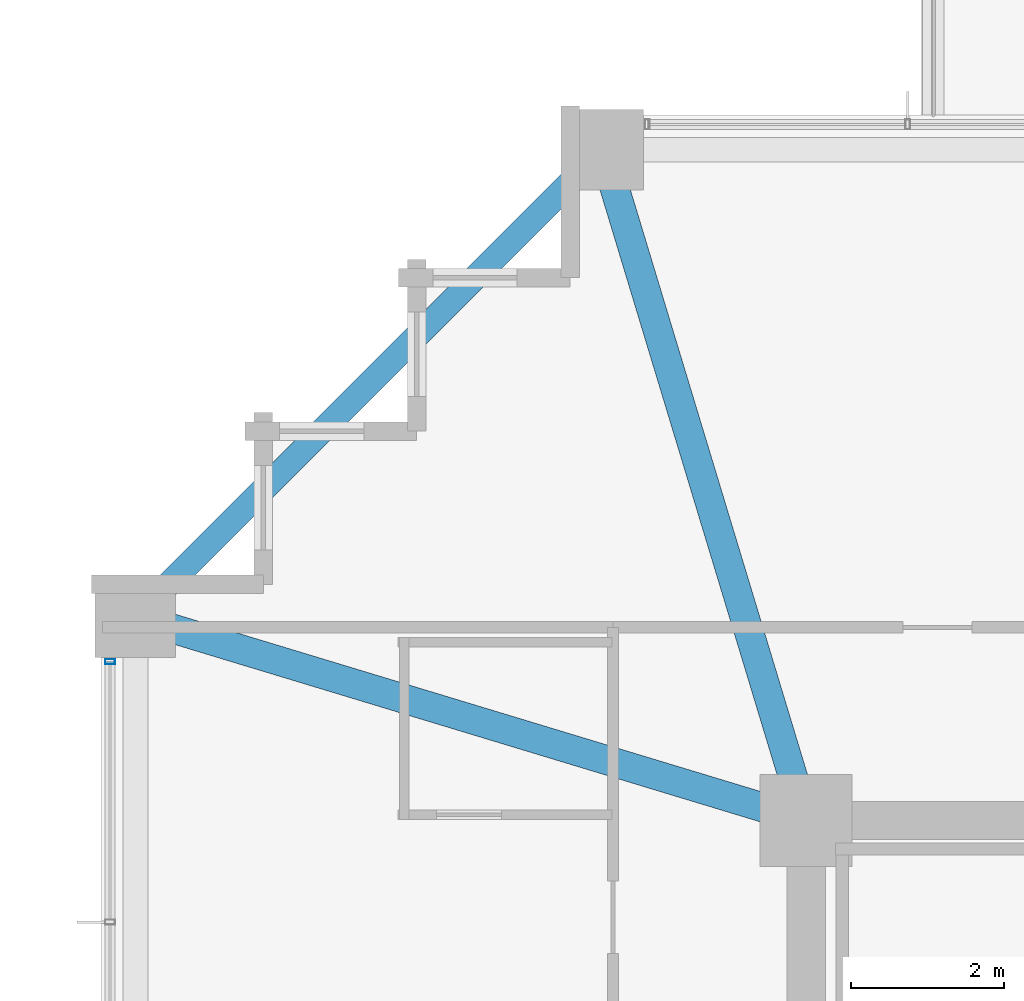
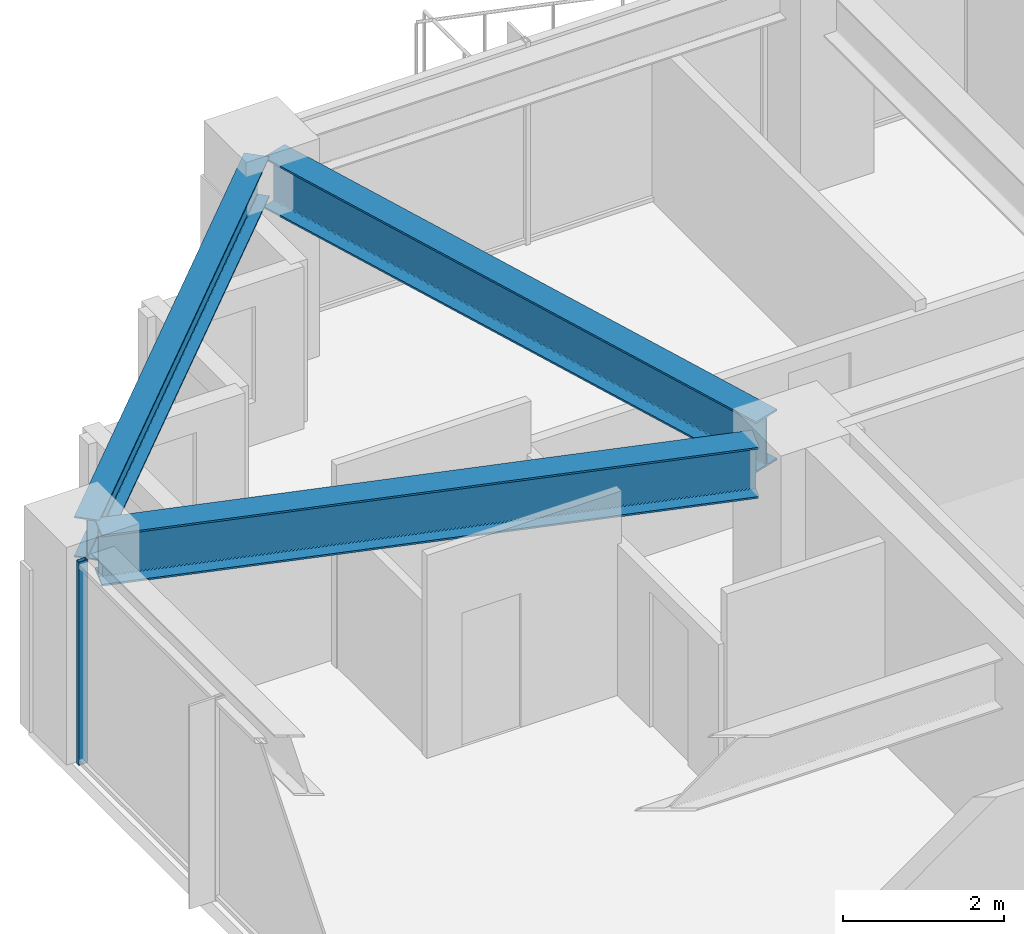
# One storey, part 16 of 34: 3 beams, 1 member, 1 element without a shape of its own.
"""IFC4 building model written with IfcOpenShell, lengths in metres."""

from ifc_helpers import new_model, si_unit, direction, frame, origin, origin_2d, place, context, subcontext, project, spatial, hollow_rectangle, i_section, extrude, material, material_profile, profile_set, type_object, element, aggregate, save


model = new_model("IFC4")

# Units and contexts
model_context = context("Model", 3, precision=1e-05, world=origin(), true_north=direction((0.0, 1.0)))
body_context = subcontext(model_context, "Body", "Model", "MODEL_VIEW")
ifc_project = project(units=[si_unit("LENGTHUNIT", "METRE"), si_unit("AREAUNIT", "SQUARE_METRE"), si_unit("VOLUMEUNIT", "CUBIC_METRE"), si_unit("PLANEANGLEUNIT", "RADIAN"), si_unit("MASSUNIT", "GRAM", prefix="KILO")], contexts=[model_context])

# Site, building, storey
site_placement = place(None, origin())
site = spatial("IfcSite", under=ifc_project, at=site_placement, CompositionType="ELEMENT")
building_placement = place(site_placement, origin())
building = spatial("IfcBuilding", under=site, at=building_placement, Name="Kolvaren Belvedere", CompositionType="ELEMENT")
storey_placement = place(building_placement, frame((0.0, 0.0, 111.800048828125)))
storey = spatial("IfcBuildingStorey", under=building, at=storey_placement, Name="L32", CompositionType="ELEMENT", Elevation=111.800048828125)

# Beams
ifc_material_1 = material(Name="Structural steel ASTM A992 Grade 50", Category="steel")
ifc_material_profile_1 = material_profile(ifc_material_1, i_section(OverallWidth=0.381103515625, OverallDepth=0.77294921875, WebThickness=0.0166015625, FlangeThickness=0.027099609375, FilletRadius=0.02392578125, at=origin_2d()), Name="W30X173")
ifc_profile_set_1 = profile_set([ifc_material_profile_1], Name="Structural steel ASTM A992 Grade 50")
beam_type_1 = type_object("IfcBeamType", Name="BM-GIRD-W30X173", PredefinedType="BEAM", material=ifc_profile_set_1)
for number, where, z_axis, x_axis, name in (
    (1, (-10.059326171875, 10.426513671875, 2.693359375), (-0.289858652454, 0.957069465398, 0.0), (-0.957069465398, -0.289858652454, 0.0), "L32 Corner Core-to-Perimeter Girder CC4-N1"),
    (2, (-10.426513671875, 10.059326171875, 2.693359375), (-0.957069465398, 0.289858652454, 0.0), (-0.289858652454, -0.957069465398, 0.0), "L32 Corner Core-to-Perimeter Girder CC4-W4"),
):
    element("IfcBeam", number, at=place(storey_placement, frame(where, z_axis=z_axis, x_axis=x_axis)), inside=storey, type_object=beam_type_1, Name=name, PredefinedType="BEAM", context=body_context, shape_type="SweptSolid", body=[
        extrude(i_section(OverallWidth=0.381103515625, OverallDepth=0.77294921875, WebThickness=0.0166015625, FlangeThickness=0.027099609375, FilletRadius=0.02392578125, at=origin_2d()), origin(), (0.0, 0.0, 1.0), 8.38232421875),
    ])
ifc_material_2 = material(Name="Structural steel ASTM A992 Grade 50", Category="steel")
ifc_material_profile_2 = material_profile(ifc_material_2, i_section(OverallWidth=0.324951171875, OverallDepth=0.615966796875, WebThickness=0.013916015625, FlangeThickness=0.021484375, FilletRadius=0.02001953125, at=origin_2d()), Name="W24X117")
ifc_profile_set_2 = profile_set([ifc_material_profile_2], Name="Structural steel ASTM A992 Grade 50")
beam_type_2 = type_object("IfcBeamType", Name="BM-SPAN-W24X117", PredefinedType="SPANDREL", material=ifc_profile_set_2)
beam_placement = place(storey_placement, frame((-12.717041015625, 18.48291015625, 2.77197265625), z_axis=(-0.707106781187, -0.707106781187, 0.0), x_axis=(0.707106781187, -0.707106781187, 0.0)))
element("IfcBeam", 3, at=beam_placement, inside=storey, type_object=beam_type_2, Name="L32 Perimeter Spandrel N1-W4", PredefinedType="SPANDREL", context=body_context, shape_type="SweptSolid", body=[
    extrude(i_section(OverallWidth=0.324951171875, OverallDepth=0.615966796875, WebThickness=0.013916015625, FlangeThickness=0.021484375, FilletRadius=0.02001953125, at=origin_2d()), origin(), (0.0, 0.0, 1.0), 8.154052734375),
])

# Curtain wall, member
ifc_material_3 = material(Name="Anodised pale-metal aluminium AA 6063-T6", Category="aluminium")
curtain_wall_type = type_object("IfcCurtainWallType", Name="CW-Z3-WAIST", PredefinedType="NOTDEFINED", material=ifc_material_3)
curtain_wall_placement = place(storey_placement, origin())
curtain_wall = element("IfcCurtainWall", 4, at=curtain_wall_placement, inside=storey, type_object=curtain_wall_type, Name="L32 Unitised Curtain Wall FCW-L32-W-B3", PredefinedType="NOTDEFINED")
ifc_material_4 = material(Name="Anodised pale-metal aluminium AA 6063-T6", Category="aluminium")
ifc_material_profile_3 = material_profile(ifc_material_4, hollow_rectangle(XDim=0.06494140625, YDim=0.1298828125, WallThickness=0.00390625, at=origin_2d()), Name="ALU-MUL-130X65")
ifc_profile_set_3 = profile_set([ifc_material_profile_3], Name="Anodised pale-metal aluminium AA 6063-T6")
member_type = type_object("IfcMemberType", Name="CW-MUL-130", PredefinedType="MULLION", material=ifc_profile_set_3)
member_placement = place(storey_placement, frame((-18.97998046875, 11.972412109375, 0.0), z_axis=(0.0, 0.0, 1.0), x_axis=(0.0, 1.0, 0.0)))
member = element("IfcMember", 5, at=member_placement, type_object=member_type, Name="FCW-L32-W-B3 Unitised Mullion 3", PredefinedType="MULLION", context=body_context, shape_type="SweptSolid", body=[
    extrude(hollow_rectangle(XDim=0.06494140625, YDim=0.1298828125, WallThickness=0.00390625, at=origin_2d()), origin(), (0.0, 0.0, 1.0), 3.079833984375),
])
aggregate(curtain_wall, [member])

save(model, "model.ifc")
